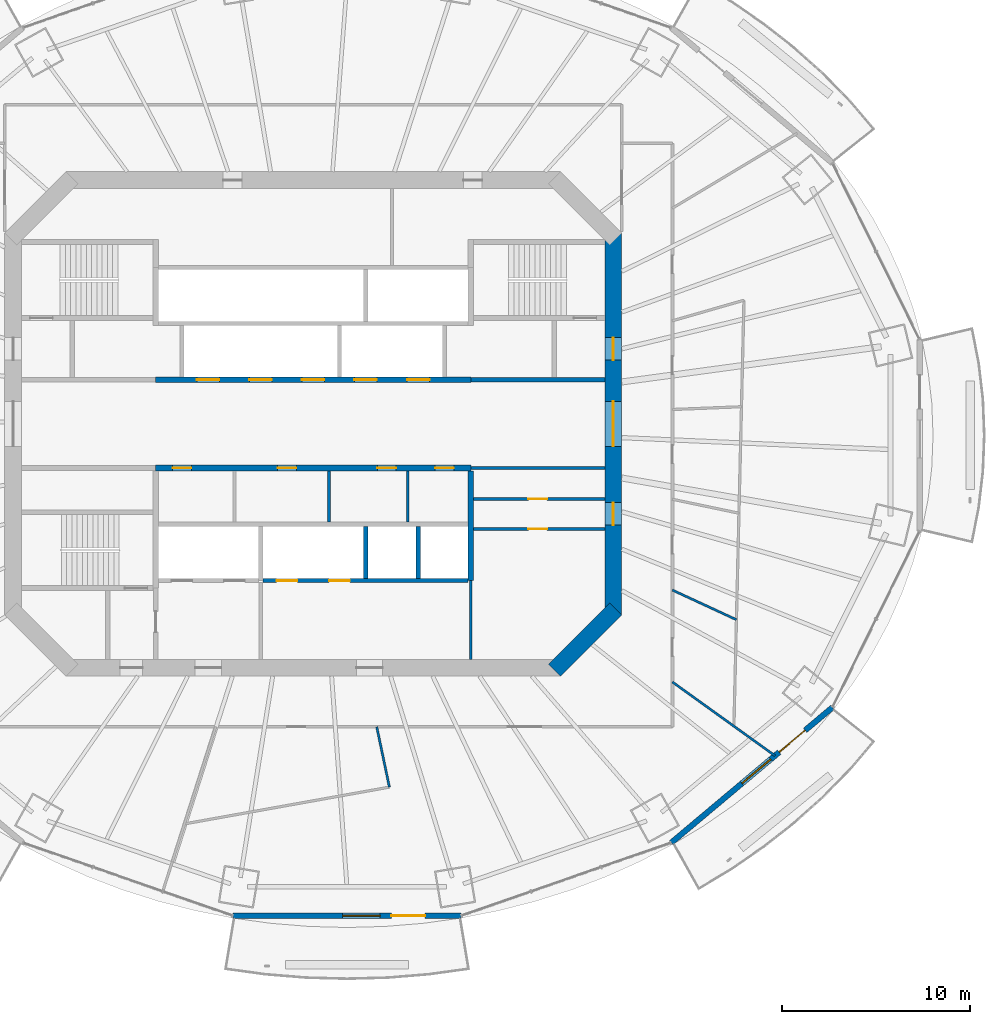
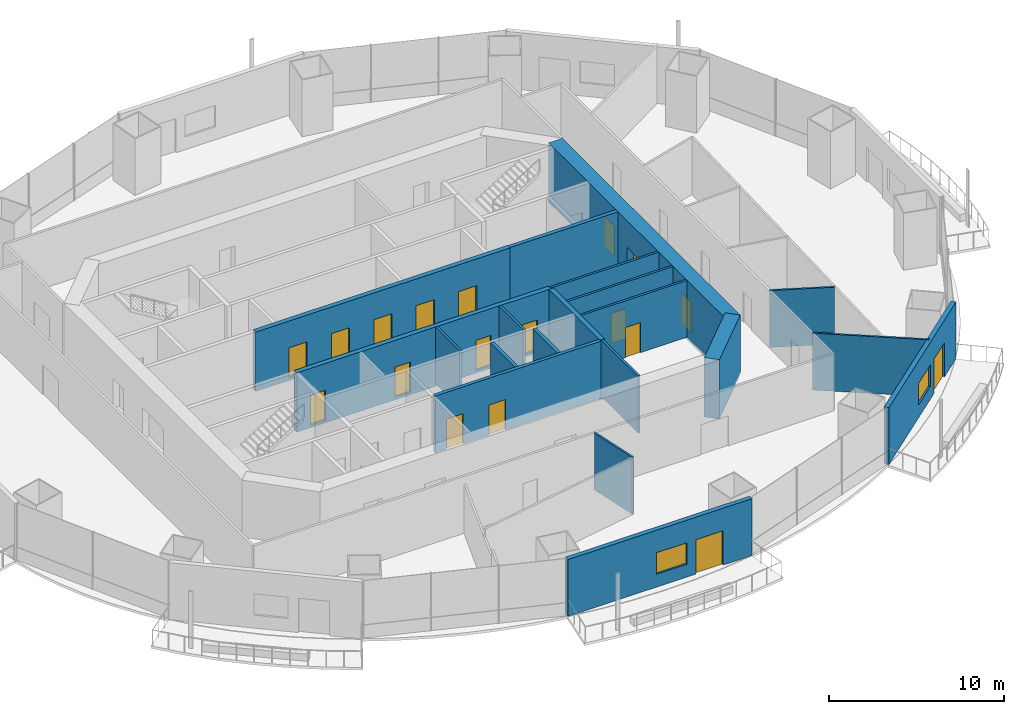
# One storey, part 12 of 20: 20 walls, 18 doors, 2 windows, 20 openings.
"""IFC4 building model written with IfcOpenShell, lengths in metres."""

import ifcopenshell
import ifcopenshell.guid

model = None  # the IFC model being written
_history = None  # IfcOwnerHistory: only IFC2X3 demands one
_inside = {}  # id of a spatial element -> (the spatial element, [elements in it])
_under = {}  # id of a project, library or spatial element -> (it, [spatial elements below it])
_declared = {}  # id of a project -> (the project, [libraries it declares])
_typed = {}  # id of a type object -> (the type object, [elements of that type])
_made_of = {}  # id of a material, layer set ... -> (it, [elements and type objects made of it])


def new_model(schema):
    """Start an empty IFC model of exactly this schema.

    Asked for "IFC4X3", IfcOpenShell would pick the latest addendum, in which some entities
    have other attributes; the version numbers below select the first issue.
    IFC2X3 requires an IfcOwnerHistory on every rooted entity: one is made here for all.
    """
    global model, _history
    if schema == "IFC4X3":
        model = ifcopenshell.file(schema_version=(4, 3, 0, 0))
    else:
        model = ifcopenshell.file(schema=schema)
    _inside.clear()
    _under.clear()
    _declared.clear()
    _typed.clear()
    _made_of.clear()
    _history = None
    if model.schema == "IFC2X3":
        org = make("IfcOrganization", Name="unknown")
        user = make(
            "IfcPersonAndOrganization",
            ThePerson=make("IfcPerson", FamilyName="unknown"),
            TheOrganization=org,
        )
        app = make(
            "IfcApplication",
            ApplicationDeveloper=org,
            Version="unknown",
            ApplicationFullName="unknown",
            ApplicationIdentifier="unknown",
        )
        _history = make(
            "IfcOwnerHistory",
            OwningUser=user,
            OwningApplication=app,
            ChangeAction="ADDED",
            CreationDate=0,
        )
    return model


def make(cls, **values):
    """One entity of the class cls with the attributes given. An attribute that is None is left unset."""
    return model.create_entity(
        cls, **{name: value for name, value in values.items() if value is not None}
    )


def rooted(cls, **values):
    """An entity with a GlobalId (a new one), such as an element, a storey or a relation."""
    return make(cls, GlobalId=ifcopenshell.guid.new(), OwnerHistory=_history, **values)


def si_unit(unit_type, name, prefix=None):
    """IfcSIUnit, for example si_unit("LENGTHUNIT", "METRE", prefix="MILLI")."""
    return make("IfcSIUnit", UnitType=unit_type, Prefix=prefix, Name=name)


def assignment(units):
    """IfcUnitAssignment: the units of a project."""
    return None if units is None else make("IfcUnitAssignment", Units=units)


def point(xyz):
    """IfcCartesianPoint."""
    return None if xyz is None else make("IfcCartesianPoint", Coordinates=xyz)


def direction(xyz):
    """IfcDirection."""
    return None if xyz is None else make("IfcDirection", DirectionRatios=xyz)


def frame(location, z_axis=None, x_axis=None):
    """IfcAxis2Placement3D, a coordinate frame: its origin and axes. An axis left out is left unset."""
    return make(
        "IfcAxis2Placement3D",
        Location=point(location),
        Axis=direction(z_axis),
        RefDirection=direction(x_axis),
    )


def frame_2d(location, x_axis=None):
    """IfcAxis2Placement2D, a coordinate frame in the plane: its origin and x axis."""
    return make(
        "IfcAxis2Placement2D", Location=point(location), RefDirection=direction(x_axis)
    )


def origin():
    """The frame at (0, 0, 0) with its axes left unset."""
    return frame((0.0, 0.0, 0.0))


def place(relative_to, where):
    """IfcLocalPlacement: puts the frame where relative to a parent placement (None: the world)."""
    return make(
        "IfcLocalPlacement", PlacementRelTo=relative_to, RelativePlacement=where
    )


def context(
    kind, dimensions, precision=None, world=None, true_north=None, identifier=None
):
    """IfcGeometricRepresentationContext, for example the 3D "Model" context."""
    return make(
        "IfcGeometricRepresentationContext",
        ContextIdentifier=identifier,
        ContextType=kind,
        CoordinateSpaceDimension=dimensions,
        Precision=precision,
        WorldCoordinateSystem=world,
        TrueNorth=true_north,
    )


def subcontext(parent, identifier, kind, view, scale=None):
    """IfcGeometricRepresentationSubContext, for example "Body" below "Model"."""
    return make(
        "IfcGeometricRepresentationSubContext",
        ContextIdentifier=identifier,
        ContextType=kind,
        ParentContext=parent,
        TargetScale=scale,
        TargetView=view,
    )


def project(units=None, contexts=None):
    """IfcProject with its units and contexts."""
    return rooted(
        "IfcProject",
        Name="project",
        RepresentationContexts=contexts,
        UnitsInContext=assignment(units),
    )


def spatial(cls, under=None, at=None, **own):
    """A site, building, storey or space (cls), placed at a placement, below another one or the project."""
    s = rooted(cls, ObjectPlacement=at, **own)
    if under is not None:
        _under.setdefault(under.id(), (under, []))[1].append(s)
    return s


def profile(cls, at=None, kind="AREA", **sizes):
    """A parametric profile (cls). Its sizes go by their IFC names, for example OverallWidth=200.0."""
    return make(cls, ProfileType=kind, Position=at, **sizes)


def rectangle(**sizes):
    """IfcRectangleProfileDef."""
    return profile("IfcRectangleProfileDef", **sizes)


def extrude(swept, where, along, depth):
    """IfcExtrudedAreaSolid: the profile swept, set in the frame where, extruded along a direction by depth."""
    return make(
        "IfcExtrudedAreaSolid",
        SweptArea=swept,
        Position=where,
        ExtrudedDirection=direction(along),
        Depth=depth,
    )


def shape(context_of_items, identifier, shape_type, items):
    """IfcShapeRepresentation: the items that make up one representation, for example the "Body"."""
    return make(
        "IfcShapeRepresentation",
        ContextOfItems=context_of_items,
        RepresentationIdentifier=identifier,
        RepresentationType=shape_type,
        Items=items,
    )


def material(Name=None, Category=None):
    """IfcMaterial."""
    return make("IfcMaterial", Name=Name, Category=Category)


def layer(
    of_material, thickness, ventilated=None, Name=None, Category=None, Priority=None
):
    """IfcMaterialLayer: one layer of a wall or slab, of a material (None: an air gap)."""
    return make(
        "IfcMaterialLayer",
        Material=of_material,
        LayerThickness=thickness,
        IsVentilated=ventilated,
        Name=Name,
        Category=Category,
        Priority=Priority,
    )


def layer_set(layers, Name=None):
    """IfcMaterialLayerSet."""
    return make("IfcMaterialLayerSet", MaterialLayers=layers, LayerSetName=Name)


def made_of(thing, what):
    """Note that an element or type object is made of a material, layer set ...; save() writes the relation."""
    if what is not None:
        _made_of.setdefault(what.id(), (what, []))[1].append(thing)
    return thing


def type_object(cls, material=None, **own):
    """A type object (cls), such as IfcWallType, which elements share."""
    return made_of(rooted(cls, **own), material)


def element(
    cls,
    number,
    at=None,
    inside=None,
    cuts=None,
    type_object=None,
    material=None,
    context=None,
    identifier="Body",
    shape_type=None,
    held_by="IfcProductDefinitionShape",
    body=None,
    shapes=None,
    **own,
):
    """One element of the class cls, such as IfcWall. Its Tag is "e" and its number.

    at: its placement. inside: the storey or other place that contains it. cuts: it is an
    opening in that element (IfcRelVoidsElement). A single representation is given by context,
    identifier, shape_type and body (its items); several are given by shapes. held_by: the class
    of the entity that holds the representations. save() writes the other relations.
    """
    e = rooted(cls, Tag="e%d" % number, ObjectPlacement=at, **own)
    if body is not None:
        shapes = [shape(context, identifier, shape_type, body)]
    if shapes is not None:
        e.Representation = make(held_by, Representations=shapes)
    if inside is not None:
        _inside.setdefault(inside.id(), (inside, []))[1].append(e)
    if cuts is not None:
        rooted(
            "IfcRelVoidsElement", RelatingBuildingElement=cuts, RelatedOpeningElement=e
        )
    if type_object is not None:
        _typed.setdefault(type_object.id(), (type_object, []))[1].append(e)
    return made_of(e, material)


def fill(opening, filler):
    """IfcRelFillsElement: the door or window that sits in an opening."""
    return rooted(
        "IfcRelFillsElement",
        RelatingOpeningElement=opening,
        RelatedBuildingElement=filler,
    )


def aggregate(whole, parts):
    """IfcRelAggregates: a whole, such as a stair, and the parts it consists of."""
    return rooted("IfcRelAggregates", RelatingObject=whole, RelatedObjects=parts)


def save(model, path):
    """Write the relations noted so far, then the file.

    IfcRelAggregates (storeys below a building ...), IfcRelContainedInSpatialStructure (elements
    in a storey), IfcRelDefinesByType, IfcRelAssociatesMaterial and IfcRelDeclares: one each for
    every whole, place, type object, material and project.
    """
    for whole, parts in _under.values():
        aggregate(whole, parts)
    for where, things in _inside.values():
        rooted(
            "IfcRelContainedInSpatialStructure",
            RelatedElements=things,
            RelatingStructure=where,
        )
    for kind, things in _typed.values():
        rooted("IfcRelDefinesByType", RelatedObjects=things, RelatingType=kind)
    for what, things in _made_of.values():
        rooted("IfcRelAssociatesMaterial", RelatedObjects=things, RelatingMaterial=what)
    for by, libraries in _declared.values():
        rooted("IfcRelDeclares", RelatingContext=by, RelatedDefinitions=libraries)
    model.write(path)


model = new_model("IFC4")

# Units and contexts
model_context = context("Model", 3, precision=1e-05, world=origin(), true_north=direction((0.0, 1.0)))
body_context = subcontext(model_context, "Body", "Model", "MODEL_VIEW")
ifc_project = project(units=[si_unit("LENGTHUNIT", "METRE"), si_unit("AREAUNIT", "SQUARE_METRE"), si_unit("VOLUMEUNIT", "CUBIC_METRE"), si_unit("PLANEANGLEUNIT", "RADIAN"), si_unit("MASSUNIT", "GRAM", prefix="KILO")], contexts=[model_context])

# Site, building, storey
site_placement = place(None, origin())
site = spatial("IfcSite", under=ifc_project, at=site_placement, CompositionType="ELEMENT")
building_placement = place(site_placement, origin())
building = spatial("IfcBuilding", under=site, at=building_placement, Name="Marenthal Gate Tower", CompositionType="ELEMENT")
storey_placement = place(building_placement, frame((0.0, 0.0, 210.85009765625)))
storey = spatial("IfcBuildingStorey", under=building, at=storey_placement, Name="L46", CompositionType="ELEMENT", Elevation=210.85009765625)

# Wall
ifc_material_1 = material(Name="Concrete 60 MPa", Category="concrete")
ifc_layer_1 = layer(ifc_material_1, 0.89990234375)
ifc_layer_set_1 = layer_set([ifc_layer_1], Name="Core shear wall 900")
wall_type_1 = type_object("IfcWallType", Name="Core shear wall 900", PredefinedType="SHEAR", material=ifc_layer_set_1)
wall_1_placement = place(storey_placement, frame((12.8681640625, -13.1318359375, -0.18017578125), z_axis=(0.0, 0.0, 1.0), x_axis=(0.707106781187, 0.707106781187, 0.0)))
element("IfcWall", 1, at=wall_1_placement, inside=storey, type_object=wall_type_1, Name="Core wall 01", PredefinedType="SHEAR", context=body_context, shape_type="SweptSolid", body=[
    extrude(rectangle(XDim=4.615478515625, YDim=0.89990234375, at=frame_2d((2.3076171875, 0.0))), origin(), (0.0, 0.0, 1.0), 4.150146484375),
])

# Wall, openings, doors
wall_2_placement = place(storey_placement, frame((16.0, -10.186279296875, -0.18017578125), z_axis=(0.0, 0.0, 1.0), x_axis=(0.0, 1.0, 0.0)))
wall_2 = element("IfcWall", 2, at=wall_2_placement, inside=storey, type_object=wall_type_1, Name="Core wall 02", PredefinedType="SHEAR", context=body_context, shape_type="SweptSolid", body=[
    extrude(rectangle(XDim=20.37255859375, YDim=0.89990234375, at=frame_2d((10.186279296875, 0.0))), origin(), (0.0, 0.0, 1.0), 4.150146484375),
])
opening_1_placement = place(wall_2_placement, frame((8.986328125, 0.0, 0.179931640625)))
opening_1 = element("IfcOpeningElement", 3, at=opening_1_placement, cuts=wall_2, Name="Opening D003.02", PredefinedType="OPENING", context=body_context, shape_type="SweptSolid", body=[
    extrude(rectangle(XDim=2.39990234375, YDim=2.10009765625, at=frame_2d((1.199951171875, 1.050048828125))), frame((0.0, 0.4599609375, 0.0), z_axis=(0.0, -1.0, 0.0), x_axis=(1.0, 0.0, 0.0)), (0.0, 0.0, 1.0), 0.919921875),
])
opening_2_placement = place(wall_2_placement, frame((13.58642578125, 0.0, 0.179931640625)))
opening_2 = element("IfcOpeningElement", 4, at=opening_2_placement, cuts=wall_2, Name="Opening D001.05", PredefinedType="OPENING", context=body_context, shape_type="SweptSolid", body=[
    extrude(rectangle(XDim=1.199951171875, YDim=2.10009765625, at=frame_2d((0.60009765625, 1.050048828125))), frame((0.0, 0.4599609375, 0.0), z_axis=(0.0, -1.0, 0.0), x_axis=(1.0, 0.0, 0.0)), (0.0, 0.0, 1.0), 0.919921875),
])
opening_3_placement = place(wall_2_placement, frame((4.786376953125, 0.0, 0.179931640625)))
opening_3 = element("IfcOpeningElement", 5, at=opening_3_placement, cuts=wall_2, Name="Opening D006.01", PredefinedType="OPENING", context=body_context, shape_type="SweptSolid", body=[
    extrude(rectangle(XDim=1.199951171875, YDim=2.10009765625, at=frame_2d((0.60009765625, 1.050048828125))), frame((0.0, 0.4599609375, 0.0), z_axis=(0.0, -1.0, 0.0), x_axis=(1.0, 0.0, 0.0)), (0.0, 0.0, 1.0), 0.919921875),
])
ifc_material_2 = material(Name="Steel fire door", Category="steel")
door_type_1 = type_object("IfcDoorType", Name="Double fire door FD 45 2400 x 2100", OperationType="DOUBLE_DOOR_SINGLE_SWING", PredefinedType="DOOR", material=ifc_material_2)
door_1_placement = place(opening_1_placement, origin())
door_1 = element("IfcDoor", 6, at=door_1_placement, inside=storey, type_object=door_type_1, Name="Door D003.02", OperationType="DOUBLE_DOOR_SINGLE_SWING", OverallHeight=2.10009765625, OverallWidth=2.39990234375, PredefinedType="DOOR", context=body_context, shape_type="SweptSolid", body=[
    extrude(rectangle(XDim=2.39990234375, YDim=2.10009765625, at=frame_2d((1.199951171875, 1.050048828125))), frame((0.0, 0.02490234375, 0.0), z_axis=(0.0, -1.0, 0.0), x_axis=(1.0, 0.0, 0.0)), (0.0, 0.0, 1.0), 0.050048828125),
])
fill(opening_1, door_1)
ifc_material_3 = material(Name="Steel fire door", Category="steel")
door_type_2 = type_object("IfcDoorType", Name="Fire door FD 45 1200 x 2100", OperationType="NOTDEFINED", PredefinedType="DOOR", material=ifc_material_3)
door_2_placement = place(opening_3_placement, origin())
door_2 = element("IfcDoor", 7, at=door_2_placement, inside=storey, type_object=door_type_2, Name="Door D006.01", OperationType="SINGLE_SWING_RIGHT", OverallHeight=2.10009765625, OverallWidth=1.199951171875, PredefinedType="DOOR", context=body_context, shape_type="SweptSolid", body=[
    extrude(rectangle(XDim=1.199951171875, YDim=2.10009765625, at=frame_2d((0.60009765625, 1.050048828125))), frame((0.0, 0.02490234375, 0.0), z_axis=(0.0, -1.0, 0.0), x_axis=(1.0, 0.0, 0.0)), (0.0, 0.0, 1.0), 0.050048828125),
])
fill(opening_3, door_2)
ifc_material_4 = material(Name="Steel fire door", Category="steel")
door_type_3 = type_object("IfcDoorType", Name="Fire door FD 90 1200 x 2100", OperationType="NOTDEFINED", PredefinedType="DOOR", material=ifc_material_4)
door_3_placement = place(opening_2_placement, origin())
door_3 = element("IfcDoor", 8, at=door_3_placement, inside=storey, type_object=door_type_3, Name="Door D001.05", OperationType="SINGLE_SWING_RIGHT", OverallHeight=2.10009765625, OverallWidth=1.199951171875, PredefinedType="DOOR", context=body_context, shape_type="SweptSolid", body=[
    extrude(rectangle(XDim=1.199951171875, YDim=2.10009765625, at=frame_2d((0.60009765625, 1.050048828125))), frame((0.0, 0.02490234375, 0.0), z_axis=(0.0, -1.0, 0.0), x_axis=(1.0, 0.0, 0.0)), (0.0, 0.0, 1.0), 0.050048828125),
])
fill(opening_2, door_3)

ifc_material_5 = material(Name="Concrete 50 MPa", Category="concrete")
ifc_layer_2 = layer(ifc_material_5, 0.300048828125)
ifc_layer_set_2 = layer_set([ifc_layer_2], Name="Hoistway shear wall 300")
wall_type_2 = type_object("IfcWallType", Name="Hoistway shear wall 300", PredefinedType="SHEAR", material=ifc_layer_set_2)
wall_3_placement = place(storey_placement, frame((-8.39990234375, -2.35009765625, -0.18017578125), z_axis=(0.0, 0.0, 1.0), x_axis=(1.0, 0.0, 0.0)))
wall_3 = element("IfcWall", 9, at=wall_3_placement, inside=storey, type_object=wall_type_2, Name="Hoistway wall 17", PredefinedType="SHEAR", context=body_context, shape_type="SweptSolid", body=[
    extrude(rectangle(XDim=16.7998046875, YDim=0.300048828125, at=frame_2d((8.39990234375, 0.0))), origin(), (0.0, 0.0, 1.0), 4.150146484375),
])
opening_4_placement = place(wall_3_placement, frame((0.89990234375, 0.0, 0.179931640625)))
opening_4 = element("IfcOpeningElement", 10, at=opening_4_placement, cuts=wall_3, Name="Opening D005.01", PredefinedType="OPENING", context=body_context, shape_type="SweptSolid", body=[
    extrude(rectangle(XDim=1.0, YDim=2.10009765625, at=frame_2d((0.5, 1.050048828125))), frame((0.0, 0.16015625, 0.0), z_axis=(0.0, -1.0, 0.0), x_axis=(1.0, 0.0, 0.0)), (0.0, 0.0, 1.0), 0.320068359375),
])
opening_5_placement = place(wall_3_placement, frame((6.5, 0.0, 0.179931640625)))
opening_5 = element("IfcOpeningElement", 11, at=opening_5_placement, cuts=wall_3, Name="Opening D005.02", PredefinedType="OPENING", context=body_context, shape_type="SweptSolid", body=[
    extrude(rectangle(XDim=1.0, YDim=2.10009765625, at=frame_2d((0.5, 1.050048828125))), frame((0.0, 0.16015625, 0.0), z_axis=(0.0, -1.0, 0.0), x_axis=(1.0, 0.0, 0.0)), (0.0, 0.0, 1.0), 0.320068359375),
])
opening_6_placement = place(wall_3_placement, frame((11.820068359375, 0.0, 0.179931640625)))
opening_6 = element("IfcOpeningElement", 12, at=opening_6_placement, cuts=wall_3, Name="Opening D005.03", PredefinedType="OPENING", context=body_context, shape_type="SweptSolid", body=[
    extrude(rectangle(XDim=1.0, YDim=2.10009765625, at=frame_2d((0.5, 1.050048828125))), frame((0.0, 0.16015625, 0.0), z_axis=(0.0, -1.0, 0.0), x_axis=(1.0, 0.0, 0.0)), (0.0, 0.0, 1.0), 0.320068359375),
])
opening_7_placement = place(wall_3_placement, frame((14.89990234375, 0.0, 0.179931640625)))
opening_7 = element("IfcOpeningElement", 13, at=opening_7_placement, cuts=wall_3, Name="Opening D005.04", PredefinedType="OPENING", context=body_context, shape_type="SweptSolid", body=[
    extrude(rectangle(XDim=1.0, YDim=2.10009765625, at=frame_2d((0.5, 1.050048828125))), frame((0.0, 0.16015625, 0.0), z_axis=(0.0, -1.0, 0.0), x_axis=(1.0, 0.0, 0.0)), (0.0, 0.0, 1.0), 0.320068359375),
])
ifc_material_6 = material(Name="Steel fire door", Category="steel")
door_type_4 = type_object("IfcDoorType", Name="Fire door FD 45 1000 x 2100", OperationType="NOTDEFINED", PredefinedType="DOOR", material=ifc_material_6)
door_4_placement = place(opening_4_placement, frame((1.0, 0.0, 0.0), z_axis=(0.0, 0.0, 1.0), x_axis=(-1.0, 0.0, 0.0)))
door_4 = element("IfcDoor", 14, at=door_4_placement, inside=storey, type_object=door_type_4, Name="Door D005.01", OperationType="SINGLE_SWING_LEFT", OverallHeight=2.10009765625, OverallWidth=1.0, PredefinedType="DOOR", context=body_context, shape_type="SweptSolid", body=[
    extrude(rectangle(XDim=1.0, YDim=2.10009765625, at=frame_2d((0.5, 1.050048828125))), frame((0.0, 0.02490234375, 0.0), z_axis=(0.0, -1.0, 0.0), x_axis=(1.0, 0.0, 0.0)), (0.0, 0.0, 1.0), 0.050048828125),
])
fill(opening_4, door_4)
door_5_placement = place(opening_5_placement, frame((1.0, 0.0, 0.0), z_axis=(0.0, 0.0, 1.0), x_axis=(-1.0, 0.0, 0.0)))
door_5 = element("IfcDoor", 15, at=door_5_placement, inside=storey, type_object=door_type_4, Name="Door D005.02", OperationType="SINGLE_SWING_LEFT", OverallHeight=2.10009765625, OverallWidth=1.0, PredefinedType="DOOR", context=body_context, shape_type="SweptSolid", body=[
    extrude(rectangle(XDim=1.0, YDim=2.10009765625, at=frame_2d((0.5, 1.050048828125))), frame((0.0, 0.02490234375, 0.0), z_axis=(0.0, -1.0, 0.0), x_axis=(1.0, 0.0, 0.0)), (0.0, 0.0, 1.0), 0.050048828125),
])
fill(opening_5, door_5)
door_6_placement = place(opening_6_placement, frame((1.0, 0.0, 0.0), z_axis=(0.0, 0.0, 1.0), x_axis=(-1.0, 0.0, 0.0)))
door_6 = element("IfcDoor", 16, at=door_6_placement, inside=storey, type_object=door_type_4, Name="Door D005.03", OperationType="SINGLE_SWING_LEFT", OverallHeight=2.10009765625, OverallWidth=1.0, PredefinedType="DOOR", context=body_context, shape_type="SweptSolid", body=[
    extrude(rectangle(XDim=1.0, YDim=2.10009765625, at=frame_2d((0.5, 1.050048828125))), frame((0.0, 0.02490234375, 0.0), z_axis=(0.0, -1.0, 0.0), x_axis=(1.0, 0.0, 0.0)), (0.0, 0.0, 1.0), 0.050048828125),
])
fill(opening_6, door_6)
door_7_placement = place(opening_7_placement, frame((1.0, 0.0, 0.0), z_axis=(0.0, 0.0, 1.0), x_axis=(-1.0, 0.0, 0.0)))
door_7 = element("IfcDoor", 17, at=door_7_placement, inside=storey, type_object=door_type_4, Name="Door D005.04", OperationType="SINGLE_SWING_LEFT", OverallHeight=2.10009765625, OverallWidth=1.0, PredefinedType="DOOR", context=body_context, shape_type="SweptSolid", body=[
    extrude(rectangle(XDim=1.0, YDim=2.10009765625, at=frame_2d((0.5, 1.050048828125))), frame((0.0, 0.02490234375, 0.0), z_axis=(0.0, -1.0, 0.0), x_axis=(1.0, 0.0, 0.0)), (0.0, 0.0, 1.0), 0.050048828125),
])
fill(opening_7, door_7)

wall_4_placement = place(storey_placement, frame((-8.39990234375, 2.35009765625, -0.18017578125), z_axis=(0.0, 0.0, 1.0), x_axis=(1.0, 0.0, 0.0)))
wall_4 = element("IfcWall", 18, at=wall_4_placement, inside=storey, type_object=wall_type_2, Name="Hoistway wall 20", PredefinedType="SHEAR", context=body_context, shape_type="SweptSolid", body=[
    extrude(rectangle(XDim=16.7998046875, YDim=0.300048828125, at=frame_2d((8.39990234375, 0.0))), origin(), (0.0, 0.0, 1.0), 4.150146484375),
])
opening_8_placement = place(wall_4_placement, frame((2.199951171875, 0.0, 0.179931640625)))
opening_8 = element("IfcOpeningElement", 19, at=opening_8_placement, cuts=wall_4, Name="Opening LD-MP1", PredefinedType="OPENING", context=body_context, shape_type="SweptSolid", body=[
    extrude(rectangle(XDim=1.199951171875, YDim=2.10009765625, at=frame_2d((0.60009765625, 1.050048828125))), frame((0.0, 0.16015625, 0.0), z_axis=(0.0, -1.0, 0.0), x_axis=(1.0, 0.0, 0.0)), (0.0, 0.0, 1.0), 0.320068359375),
])
opening_9_placement = place(wall_4_placement, frame((5.0, 0.0, 0.179931640625)))
opening_9 = element("IfcOpeningElement", 20, at=opening_9_placement, cuts=wall_4, Name="Opening LD-MP2", PredefinedType="OPENING", context=body_context, shape_type="SweptSolid", body=[
    extrude(rectangle(XDim=1.199951171875, YDim=2.10009765625, at=frame_2d((0.60009765625, 1.050048828125))), frame((0.0, 0.16015625, 0.0), z_axis=(0.0, -1.0, 0.0), x_axis=(1.0, 0.0, 0.0)), (0.0, 0.0, 1.0), 0.320068359375),
])
opening_10_placement = place(wall_4_placement, frame((7.800048828125, 0.0, 0.179931640625)))
opening_10 = element("IfcOpeningElement", 21, at=opening_10_placement, cuts=wall_4, Name="Opening LD-MP3", PredefinedType="OPENING", context=body_context, shape_type="SweptSolid", body=[
    extrude(rectangle(XDim=1.199951171875, YDim=2.10009765625, at=frame_2d((0.60009765625, 1.050048828125))), frame((0.0, 0.16015625, 0.0), z_axis=(0.0, -1.0, 0.0), x_axis=(1.0, 0.0, 0.0)), (0.0, 0.0, 1.0), 0.320068359375),
])
opening_11_placement = place(wall_4_placement, frame((10.60009765625, 0.0, 0.179931640625)))
opening_11 = element("IfcOpeningElement", 22, at=opening_11_placement, cuts=wall_4, Name="Opening LD-MP4", PredefinedType="OPENING", context=body_context, shape_type="SweptSolid", body=[
    extrude(rectangle(XDim=1.199951171875, YDim=2.10009765625, at=frame_2d((0.60009765625, 1.050048828125))), frame((0.0, 0.16015625, 0.0), z_axis=(0.0, -1.0, 0.0), x_axis=(1.0, 0.0, 0.0)), (0.0, 0.0, 1.0), 0.320068359375),
])
opening_12_placement = place(wall_4_placement, frame((13.39990234375, 0.0, 0.179931640625)))
opening_12 = element("IfcOpeningElement", 23, at=opening_12_placement, cuts=wall_4, Name="Opening LD-MP5", PredefinedType="OPENING", context=body_context, shape_type="SweptSolid", body=[
    extrude(rectangle(XDim=1.199951171875, YDim=2.10009765625, at=frame_2d((0.60009765625, 1.050048828125))), frame((0.0, 0.16015625, 0.0), z_axis=(0.0, -1.0, 0.0), x_axis=(1.0, 0.0, 0.0)), (0.0, 0.0, 1.0), 0.320068359375),
])
ifc_material_7 = material(Name="Stainless steel sliding door", Category="steel")
door_type_5 = type_object("IfcDoorType", Name="Lift landing door FD 90 1200 x 2100", OperationType="DOUBLE_DOOR_SLIDING", PredefinedType="DOOR", material=ifc_material_7)
door_8_placement = place(opening_8_placement, origin())
door_8 = element("IfcDoor", 24, at=door_8_placement, inside=storey, type_object=door_type_5, Name="Lift landing door MP1", OperationType="DOUBLE_DOOR_SLIDING", OverallHeight=2.10009765625, OverallWidth=1.199951171875, PredefinedType="DOOR", context=body_context, shape_type="SweptSolid", body=[
    extrude(rectangle(XDim=1.199951171875, YDim=2.10009765625, at=frame_2d((0.60009765625, 1.050048828125))), frame((0.0, 0.02490234375, 0.0), z_axis=(0.0, -1.0, 0.0), x_axis=(1.0, 0.0, 0.0)), (0.0, 0.0, 1.0), 0.050048828125),
])
fill(opening_8, door_8)
door_9_placement = place(opening_9_placement, origin())
door_9 = element("IfcDoor", 25, at=door_9_placement, inside=storey, type_object=door_type_5, Name="Lift landing door MP2", OperationType="DOUBLE_DOOR_SLIDING", OverallHeight=2.10009765625, OverallWidth=1.199951171875, PredefinedType="DOOR", context=body_context, shape_type="SweptSolid", body=[
    extrude(rectangle(XDim=1.199951171875, YDim=2.10009765625, at=frame_2d((0.60009765625, 1.050048828125))), frame((0.0, 0.02490234375, 0.0), z_axis=(0.0, -1.0, 0.0), x_axis=(1.0, 0.0, 0.0)), (0.0, 0.0, 1.0), 0.050048828125),
])
fill(opening_9, door_9)
door_10_placement = place(opening_10_placement, origin())
door_10 = element("IfcDoor", 26, at=door_10_placement, inside=storey, type_object=door_type_5, Name="Lift landing door MP3", OperationType="DOUBLE_DOOR_SLIDING", OverallHeight=2.10009765625, OverallWidth=1.199951171875, PredefinedType="DOOR", context=body_context, shape_type="SweptSolid", body=[
    extrude(rectangle(XDim=1.199951171875, YDim=2.10009765625, at=frame_2d((0.60009765625, 1.050048828125))), frame((0.0, 0.02490234375, 0.0), z_axis=(0.0, -1.0, 0.0), x_axis=(1.0, 0.0, 0.0)), (0.0, 0.0, 1.0), 0.050048828125),
])
fill(opening_10, door_10)
door_11_placement = place(opening_11_placement, origin())
door_11 = element("IfcDoor", 27, at=door_11_placement, inside=storey, type_object=door_type_5, Name="Lift landing door MP4", OperationType="DOUBLE_DOOR_SLIDING", OverallHeight=2.10009765625, OverallWidth=1.199951171875, PredefinedType="DOOR", context=body_context, shape_type="SweptSolid", body=[
    extrude(rectangle(XDim=1.199951171875, YDim=2.10009765625, at=frame_2d((0.60009765625, 1.050048828125))), frame((0.0, 0.02490234375, 0.0), z_axis=(0.0, -1.0, 0.0), x_axis=(1.0, 0.0, 0.0)), (0.0, 0.0, 1.0), 0.050048828125),
])
fill(opening_11, door_11)
door_12_placement = place(opening_12_placement, origin())
door_12 = element("IfcDoor", 28, at=door_12_placement, inside=storey, type_object=door_type_5, Name="Lift landing door MP5", OperationType="DOUBLE_DOOR_SLIDING", OverallHeight=2.10009765625, OverallWidth=1.199951171875, PredefinedType="DOOR", context=body_context, shape_type="SweptSolid", body=[
    extrude(rectangle(XDim=1.199951171875, YDim=2.10009765625, at=frame_2d((0.60009765625, 1.050048828125))), frame((0.0, 0.02490234375, 0.0), z_axis=(0.0, -1.0, 0.0), x_axis=(1.0, 0.0, 0.0)), (0.0, 0.0, 1.0), 0.050048828125),
])
fill(opening_12, door_12)

# Wall
wall_5_placement = place(storey_placement, frame((8.39990234375, -8.35009765625, -0.18017578125), z_axis=(0.0, 0.0, 1.0), x_axis=(0.0, 1.0, 0.0)))
element("IfcWall", 29, at=wall_5_placement, inside=storey, type_object=wall_type_2, Name="Hoistway wall 47", PredefinedType="SHEAR", context=body_context, shape_type="SweptSolid", body=[
    extrude(rectangle(XDim=5.85009765625, YDim=0.300048828125, at=frame_2d((2.925048828125, 0.0))), origin(), (0.0, 0.0, 1.0), 4.150146484375),
])

# Wall, openings, doors
ifc_material_8 = material(Name="Concrete 40 MPa", Category="concrete")
ifc_layer_3 = layer(ifc_material_8, 0.219970703125)
ifc_layer_set_3 = layer_set([ifc_layer_3], Name="Hoistway wall 220")
wall_type_3 = type_object("IfcWallType", Name="Hoistway wall 220", PredefinedType="STANDARD", material=ifc_layer_set_3)
wall_6_placement = place(storey_placement, frame((-2.68994140625, -8.35009765625, 0.0), z_axis=(0.0, 0.0, 1.0), x_axis=(1.0, 0.0, 0.0)))
wall_6 = element("IfcWall", 30, at=wall_6_placement, inside=storey, type_object=wall_type_3, Name="Hoistway wall 11", PredefinedType="STANDARD", context=body_context, shape_type="SweptSolid", body=[
    extrude(rectangle(XDim=10.93994140625, YDim=0.219970703125, at=frame_2d((5.469970703125, 0.0))), origin(), (0.0, 0.0, 1.0), 3.969970703125),
])
opening_13_placement = place(wall_6_placement, frame((0.739990234375, 0.0, 0.0)))
opening_13 = element("IfcOpeningElement", 31, at=opening_13_placement, cuts=wall_6, Name="Opening LD-SV1", PredefinedType="OPENING", context=body_context, shape_type="SweptSolid", body=[
    extrude(rectangle(XDim=1.10009765625, YDim=2.10009765625, at=frame_2d((0.550048828125, 1.050048828125))), frame((0.0, 0.1201171875, 0.0), z_axis=(0.0, -1.0, 0.0), x_axis=(1.0, 0.0, 0.0)), (0.0, 0.0, 1.0), 0.239990234375),
])
opening_14_placement = place(wall_6_placement, frame((3.5400390625, 0.0, 0.0)))
opening_14 = element("IfcOpeningElement", 32, at=opening_14_placement, cuts=wall_6, Name="Opening LD-SV2", PredefinedType="OPENING", context=body_context, shape_type="SweptSolid", body=[
    extrude(rectangle(XDim=1.10009765625, YDim=2.10009765625, at=frame_2d((0.550048828125, 1.050048828125))), frame((0.0, 0.1201171875, 0.0), z_axis=(0.0, -1.0, 0.0), x_axis=(1.0, 0.0, 0.0)), (0.0, 0.0, 1.0), 0.239990234375),
])
ifc_material_9 = material(Name="Stainless steel sliding door", Category="steel")
door_type_6 = type_object("IfcDoorType", Name="Lift landing door FD 90 1100 x 2100", OperationType="DOUBLE_DOOR_SLIDING", PredefinedType="DOOR", material=ifc_material_9)
door_13_placement = place(opening_13_placement, origin())
door_13 = element("IfcDoor", 33, at=door_13_placement, inside=storey, type_object=door_type_6, Name="Lift landing door SV1", OperationType="DOUBLE_DOOR_SLIDING", OverallHeight=2.10009765625, OverallWidth=1.10009765625, PredefinedType="DOOR", context=body_context, shape_type="SweptSolid", body=[
    extrude(rectangle(XDim=1.10009765625, YDim=2.10009765625, at=frame_2d((0.550048828125, 1.050048828125))), frame((0.0, 0.02490234375, 0.0), z_axis=(0.0, -1.0, 0.0), x_axis=(1.0, 0.0, 0.0)), (0.0, 0.0, 1.0), 0.050048828125),
])
fill(opening_13, door_13)
door_14_placement = place(opening_14_placement, origin())
door_14 = element("IfcDoor", 34, at=door_14_placement, inside=storey, type_object=door_type_6, Name="Lift landing door SV2", OperationType="DOUBLE_DOOR_SLIDING", OverallHeight=2.10009765625, OverallWidth=1.10009765625, PredefinedType="DOOR", context=body_context, shape_type="SweptSolid", body=[
    extrude(rectangle(XDim=1.10009765625, YDim=2.10009765625, at=frame_2d((0.550048828125, 1.050048828125))), frame((0.0, 0.02490234375, 0.0), z_axis=(0.0, -1.0, 0.0), x_axis=(1.0, 0.0, 0.0)), (0.0, 0.0, 1.0), 0.050048828125),
])
fill(opening_14, door_14)

# Walls
for number, where, z_axis, x_axis, name in (
    (35, (2.800048828125, -8.239990234375, 0.0), (0.0, 0.0, 1.0), (0.0, 1.0, 0.0), "Hoistway wall 40"),
    (36, (5.60009765625, -8.239990234375, 0.0), (0.0, 0.0, 1.0), (0.0, 1.0, 0.0), "Hoistway wall 44"),
):
    element("IfcWall", number, at=place(storey_placement, frame(where, z_axis=z_axis, x_axis=x_axis)), inside=storey, type_object=wall_type_3, Name=name, PredefinedType="STANDARD", context=body_context, shape_type="SweptSolid", body=[
        extrude(rectangle(XDim=2.780029296875, YDim=0.219970703125, at=frame_2d((1.39013671875, 0.0))), origin(), (0.0, 0.0, 1.0), 3.969970703125),
    ])
ifc_material_10 = material(Name="Gypsum board on steel studs", Category="steel")
ifc_layer_4 = layer(ifc_material_10, 0.1201171875)
ifc_layer_set_4 = layer_set([ifc_layer_4], Name="Partition 120")
wall_type_4 = type_object("IfcWallType", Name="Partition 120", PredefinedType="PARTITIONING", material=ifc_layer_set_4)
wall_7_placement = place(storey_placement, frame((4.06103515625, -19.365478515625, 0.0), z_axis=(0.0, 0.0, 1.0), x_axis=(-0.205238953165, 0.97871189433, 0.0)))
element("IfcWall", 37, at=wall_7_placement, inside=storey, type_object=wall_type_4, Name="Partition wall 57", PredefinedType="PARTITIONING", context=body_context, shape_type="SweptSolid", body=[
    extrude(rectangle(XDim=3.285400390625, YDim=0.1201171875, at=frame_2d((1.642578125, 0.0))), origin(), (0.0, 0.0, 1.0), 3.969970703125),
])
wall_8_placement = place(storey_placement, frame((19.14990234375, -13.7587890625, 0.0), z_axis=(0.0, 0.0, 1.0), x_axis=(0.812128627043, -0.583478442736, 0.0)))
element("IfcWall", 38, at=wall_8_placement, inside=storey, type_object=wall_type_4, Name="Partition wall 61", PredefinedType="PARTITIONING", context=body_context, shape_type="SweptSolid", body=[
    extrude(rectangle(XDim=6.7353515625, YDim=0.1201171875, at=frame_2d((3.36767578125, 0.0))), origin(), (0.0, 0.0, 1.0), 3.969970703125),
])
wall_9_placement = place(storey_placement, frame((22.566162109375, -10.4384765625, 0.0), z_axis=(0.0, 0.0, 1.0), x_axis=(-0.907596457225, 0.419843626643, 0.0)))
element("IfcWall", 39, at=wall_9_placement, inside=storey, type_object=wall_type_4, Name="Partition wall 65", PredefinedType="PARTITIONING", context=body_context, shape_type="SweptSolid", body=[
    extrude(rectangle(XDim=3.76416015625, YDim=0.1201171875, at=frame_2d((1.882080078125, 0.0))), origin(), (0.0, 0.0, 1.0), 3.969970703125),
])

# Wall, opening, door
ifc_material_11 = material(Name="Gypsum board on steel studs", Category="steel")
ifc_layer_5 = layer(ifc_material_11, 0.14990234375)
ifc_layer_set_5 = layer_set([ifc_layer_5], Name="Partition 150")
wall_type_5 = type_object("IfcWallType", Name="Partition 150", PredefinedType="PARTITIONING", material=ifc_layer_set_5)
wall_10_placement = place(storey_placement, frame((8.550048828125, -5.60009765625, 0.0), z_axis=(0.0, 0.0, 1.0), x_axis=(1.0, 0.0, 0.0)))
wall_10 = element("IfcWall", 40, at=wall_10_placement, inside=storey, type_object=wall_type_5, Name="Partition wall 12", PredefinedType="PARTITIONING", context=body_context, shape_type="SweptSolid", body=[
    extrude(rectangle(XDim=7.0, YDim=0.14990234375, at=frame_2d((3.5, 0.0))), origin(), (0.0, 0.0, 1.0), 3.969970703125),
])
opening_15_placement = place(wall_10_placement, frame((2.925048828125, 0.0, 0.0)))
opening_15 = element("IfcOpeningElement", 41, at=opening_15_placement, cuts=wall_10, Name="Opening D005.08", PredefinedType="OPENING", context=body_context, shape_type="SweptSolid", body=[
    extrude(rectangle(XDim=1.0, YDim=2.10009765625, at=frame_2d((0.5, 1.050048828125))), frame((0.0, 0.0849609375, 0.0), z_axis=(0.0, -1.0, 0.0), x_axis=(1.0, 0.0, 0.0)), (0.0, 0.0, 1.0), 0.169921875),
])
door_15_placement = place(opening_15_placement, frame((1.0, 0.0, 0.0), z_axis=(0.0, 0.0, 1.0), x_axis=(-1.0, 0.0, 0.0)))
door_15 = element("IfcDoor", 42, at=door_15_placement, inside=storey, type_object=door_type_4, Name="Door D005.08", OperationType="SINGLE_SWING_LEFT", OverallHeight=2.10009765625, OverallWidth=1.0, PredefinedType="DOOR", context=body_context, shape_type="SweptSolid", body=[
    extrude(rectangle(XDim=1.0, YDim=2.10009765625, at=frame_2d((0.5, 1.050048828125))), frame((0.0, 0.02490234375, 0.0), z_axis=(0.0, -1.0, 0.0), x_axis=(1.0, 0.0, 0.0)), (0.0, 0.0, 1.0), 0.050048828125),
])
fill(opening_15, door_15)

wall_11_placement = place(storey_placement, frame((8.550048828125, -4.0, 0.0), z_axis=(0.0, 0.0, 1.0), x_axis=(1.0, 0.0, 0.0)))
wall_11 = element("IfcWall", 43, at=wall_11_placement, inside=storey, type_object=wall_type_5, Name="Partition wall 15", PredefinedType="PARTITIONING", context=body_context, shape_type="SweptSolid", body=[
    extrude(rectangle(XDim=7.0, YDim=0.14990234375, at=frame_2d((3.5, 0.0))), origin(), (0.0, 0.0, 1.0), 3.969970703125),
])
opening_16_placement = place(wall_11_placement, frame((2.925048828125, 0.0, 0.0)))
opening_16 = element("IfcOpeningElement", 44, at=opening_16_placement, cuts=wall_11, Name="Opening D005.07", PredefinedType="OPENING", context=body_context, shape_type="SweptSolid", body=[
    extrude(rectangle(XDim=1.0, YDim=2.10009765625, at=frame_2d((0.5, 1.050048828125))), frame((0.0, 0.0849609375, 0.0), z_axis=(0.0, -1.0, 0.0), x_axis=(1.0, 0.0, 0.0)), (0.0, 0.0, 1.0), 0.169921875),
])
door_16_placement = place(opening_16_placement, origin())
door_16 = element("IfcDoor", 45, at=door_16_placement, inside=storey, type_object=door_type_4, Name="Door D005.07", OperationType="SINGLE_SWING_RIGHT", OverallHeight=2.10009765625, OverallWidth=1.0, PredefinedType="DOOR", context=body_context, shape_type="SweptSolid", body=[
    extrude(rectangle(XDim=1.0, YDim=2.10009765625, at=frame_2d((0.5, 1.050048828125))), frame((0.0, 0.02490234375, 0.0), z_axis=(0.0, -1.0, 0.0), x_axis=(1.0, 0.0, 0.0)), (0.0, 0.0, 1.0), 0.050048828125),
])
fill(opening_16, door_16)

# Walls
wall_12_placement = place(storey_placement, frame((8.39990234375, -2.35009765625, 0.0), z_axis=(0.0, 0.0, 1.0), x_axis=(1.0, 0.0, 0.0)))
element("IfcWall", 46, at=wall_12_placement, inside=storey, type_object=wall_type_5, Name="Partition wall 18", PredefinedType="PARTITIONING", context=body_context, shape_type="SweptSolid", body=[
    extrude(rectangle(XDim=7.150146484375, YDim=0.14990234375, at=frame_2d((3.5751953125, 0.0))), origin(), (0.0, 0.0, 1.0), 3.969970703125),
])
for number, where, z_axis, x_axis, name in (
    (47, (0.840087890625, -5.239990234375, 0.0), (0.0, 0.0, 1.0), (0.0, 1.0, 0.0), "Partition wall 38"),
    (48, (5.0400390625, -5.239990234375, 0.0), (0.0, 0.0, 1.0), (0.0, 1.0, 0.0), "Partition wall 43"),
):
    element("IfcWall", number, at=place(storey_placement, frame(where, z_axis=z_axis, x_axis=x_axis)), inside=storey, type_object=wall_type_5, Name=name, PredefinedType="PARTITIONING", context=body_context, shape_type="SweptSolid", body=[
        extrude(rectangle(XDim=2.739990234375, YDim=0.14990234375, at=frame_2d((1.3701171875, 0.0))), origin(), (0.0, 0.0, 1.0), 3.969970703125),
    ])
wall_13_placement = place(storey_placement, frame((8.39990234375, -12.550048828125, 0.0), z_axis=(0.0, 0.0, 1.0), x_axis=(0.0, 1.0, 0.0)))
element("IfcWall", 49, at=wall_13_placement, inside=storey, type_object=wall_type_5, Name="Partition wall 46", PredefinedType="PARTITIONING", context=body_context, shape_type="SweptSolid", body=[
    extrude(rectangle(XDim=4.199951171875, YDim=0.14990234375, at=frame_2d((2.10009765625, 0.0))), origin(), (0.0, 0.0, 1.0), 3.969970703125),
])
ifc_material_12 = material(Name="Concrete 40 MPa", Category="concrete")
ifc_layer_6 = layer(ifc_material_12, 0.25)
ifc_layer_set_6 = layer_set([ifc_layer_6], Name="Stair enclosure wall 250")
wall_type_6 = type_object("IfcWallType", Name="Stair enclosure wall 250", PredefinedType="STANDARD", material=ifc_layer_set_6)
wall_14_placement = place(storey_placement, frame((8.39990234375, 2.35009765625, 0.0), z_axis=(0.0, 0.0, 1.0), x_axis=(1.0, 0.0, 0.0)))
element("IfcWall", 50, at=wall_14_placement, inside=storey, type_object=wall_type_6, Name="Stair wall 21", PredefinedType="STANDARD", context=body_context, shape_type="SweptSolid", body=[
    extrude(rectangle(XDim=7.150146484375, YDim=0.25, at=frame_2d((3.5751953125, 0.0))), origin(), (0.0, 0.0, 1.0), 3.969970703125),
])

# Wall, openings, door, window
ifc_material_13 = material(Name="Terracotta cladding on insulated concrete-block backing", Category="masonry")
ifc_layer_7 = layer(ifc_material_13, 0.300048828125)
ifc_layer_set_7 = layer_set([ifc_layer_7], Name="Terracotta facade wall 300")
wall_type_7 = type_object("IfcWallType", Name="Terracotta facade wall 300", PredefinedType="SOLIDWALL", material=ifc_layer_set_7)
wall_15_placement = place(storey_placement, frame((-4.273193359375, -26.227783203125, 0.0), z_axis=(0.0, 0.0, 1.0), x_axis=(1.0, 0.0, 0.0)))
wall_15 = element("IfcWall", 51, at=wall_15_placement, inside=storey, type_object=wall_type_7, Name="Terracotta facade wall L46 bay 12", PredefinedType="SOLIDWALL", context=body_context, shape_type="SweptSolid", body=[
    extrude(rectangle(XDim=12.146484375, YDim=0.300048828125, at=frame_2d((6.0732421875, 0.0))), origin(), (0.0, 0.0, 1.0), 3.969970703125),
])
opening_17_placement = place(wall_15_placement, frame((8.4462890625, 0.0, 0.0)))
opening_17 = element("IfcOpeningElement", 52, at=opening_17_placement, cuts=wall_15, Name="Opening BD-L46-12", PredefinedType="OPENING", context=body_context, shape_type="SweptSolid", body=[
    extrude(rectangle(XDim=1.800048828125, YDim=2.39990234375, at=frame_2d((0.89990234375, 1.199951171875))), frame((0.0, 0.16015625, 0.0), z_axis=(0.0, -1.0, 0.0), x_axis=(1.0, 0.0, 0.0)), (0.0, 0.0, 1.0), 0.320068359375),
])
opening_18_placement = place(wall_15_placement, frame((5.846435546875, 0.0, 0.89990234375)))
opening_18 = element("IfcOpeningElement", 53, at=opening_18_placement, cuts=wall_15, Name="Opening WN2-L46-12", PredefinedType="OPENING", context=body_context, shape_type="SweptSolid", body=[
    extrude(rectangle(XDim=2.0, YDim=1.5, at=frame_2d((1.0, 0.75))), frame((0.0, 0.16015625, 0.0), z_axis=(0.0, -1.0, 0.0), x_axis=(1.0, 0.0, 0.0)), (0.0, 0.0, 1.0), 0.320068359375),
])
ifc_material_14 = material(Name="Aluminium and glass", Category="aluminium")
door_type_7 = type_object("IfcDoorType", Name="Balcony door 1800x2400", OperationType="DOUBLE_DOOR_SINGLE_SWING", PredefinedType="DOOR", material=ifc_material_14)
door_17_placement = place(opening_17_placement, origin())
door_17 = element("IfcDoor", 54, at=door_17_placement, inside=storey, type_object=door_type_7, Name="Balcony door L46 bay 12", OperationType="SINGLE_SWING_LEFT", OverallHeight=2.39990234375, OverallWidth=1.800048828125, PredefinedType="DOOR", context=body_context, shape_type="SweptSolid", body=[
    extrude(rectangle(XDim=1.800048828125, YDim=2.39990234375, at=frame_2d((0.89990234375, 1.199951171875))), frame((0.0, 0.02490234375, 0.0), z_axis=(0.0, -1.0, 0.0), x_axis=(1.0, 0.0, 0.0)), (0.0, 0.0, 1.0), 0.050048828125),
])
fill(opening_17, door_17)
ifc_material_15 = material(Name="Aluminium and glass", Category="aluminium")
window_type = type_object("IfcWindowType", Name="Window 2000x1500", PartitioningType="DOUBLE_PANEL_VERTICAL", PredefinedType="WINDOW", material=ifc_material_15)
window_1_placement = place(opening_18_placement, origin())
window_1 = element("IfcWindow", 55, at=window_1_placement, inside=storey, type_object=window_type, Name="Window L46 bay 12", OverallHeight=1.5, OverallWidth=2.0, PartitioningType="SINGLE_PANEL", PredefinedType="WINDOW", context=body_context, shape_type="SweptSolid", body=[
    extrude(rectangle(XDim=2.0, YDim=1.5, at=frame_2d((1.0, 0.75))), frame((0.0, 0.030029296875, 0.0), z_axis=(0.0, -1.0, 0.0), x_axis=(1.0, 0.0, 0.0)), (0.0, 0.0, 1.0), 0.06005859375),
])
fill(opening_18, window_1)

wall_16_placement = place(storey_placement, frame((19.094970703125, -22.326416015625, 0.0), z_axis=(0.0, 0.0, 1.0), x_axis=(0.76593385613, 0.642919379109, 0.0)))
wall_16 = element("IfcWall", 56, at=wall_16_placement, inside=storey, type_object=wall_type_7, Name="Terracotta facade wall L46 bay 14", PredefinedType="SOLIDWALL", context=body_context, shape_type="SweptSolid", body=[
    extrude(rectangle(XDim=11.21337890625, YDim=0.300048828125, at=frame_2d((5.606689453125, 0.0))), origin(), (0.0, 0.0, 1.0), 3.969970703125),
])
opening_19_placement = place(wall_16_placement, frame((7.51318359375, 0.0, 0.0)))
opening_19 = element("IfcOpeningElement", 57, at=opening_19_placement, cuts=wall_16, Name="Opening BD-L46-14", PredefinedType="OPENING", context=body_context, shape_type="SweptSolid", body=[
    extrude(rectangle(XDim=1.800048828125, YDim=2.39990234375, at=frame_2d((0.89990234375, 1.199951171875))), frame((0.0, 0.16015625, 0.0), z_axis=(0.0, -1.0, 0.0), x_axis=(1.0, 0.0, 0.0)), (0.0, 0.0, 1.0), 0.320068359375),
])
opening_20_placement = place(wall_16_placement, frame((4.913330078125, 0.0, 0.89990234375)))
opening_20 = element("IfcOpeningElement", 58, at=opening_20_placement, cuts=wall_16, Name="Opening WN2-L46-14", PredefinedType="OPENING", context=body_context, shape_type="SweptSolid", body=[
    extrude(rectangle(XDim=2.0, YDim=1.5, at=frame_2d((1.0, 0.75))), frame((0.0, 0.16015625, 0.0), z_axis=(0.0, -1.0, 0.0), x_axis=(1.0, 0.0, 0.0)), (0.0, 0.0, 1.0), 0.320068359375),
])
door_18_placement = place(opening_19_placement, origin())
door_18 = element("IfcDoor", 59, at=door_18_placement, inside=storey, type_object=door_type_7, Name="Balcony door L46 bay 14", OperationType="SINGLE_SWING_LEFT", OverallHeight=2.39990234375, OverallWidth=1.800048828125, PredefinedType="DOOR", context=body_context, shape_type="SweptSolid", body=[
    extrude(rectangle(XDim=1.800048828125, YDim=2.39990234375, at=frame_2d((0.89990234375, 1.199951171875))), frame((0.0, 0.02490234375, 0.0), z_axis=(0.0, -1.0, 0.0), x_axis=(1.0, 0.0, 0.0)), (0.0, 0.0, 1.0), 0.050048828125),
])
fill(opening_19, door_18)
window_2_placement = place(opening_20_placement, origin())
window_2 = element("IfcWindow", 60, at=window_2_placement, inside=storey, type_object=window_type, Name="Window L46 bay 14", OverallHeight=1.5, OverallWidth=2.0, PartitioningType="SINGLE_PANEL", PredefinedType="WINDOW", context=body_context, shape_type="SweptSolid", body=[
    extrude(rectangle(XDim=2.0, YDim=1.5, at=frame_2d((1.0, 0.75))), frame((0.0, 0.030029296875, 0.0), z_axis=(0.0, -1.0, 0.0), x_axis=(1.0, 0.0, 0.0)), (0.0, 0.0, 1.0), 0.06005859375),
])
fill(opening_20, window_2)

save(model, "model.ifc")
